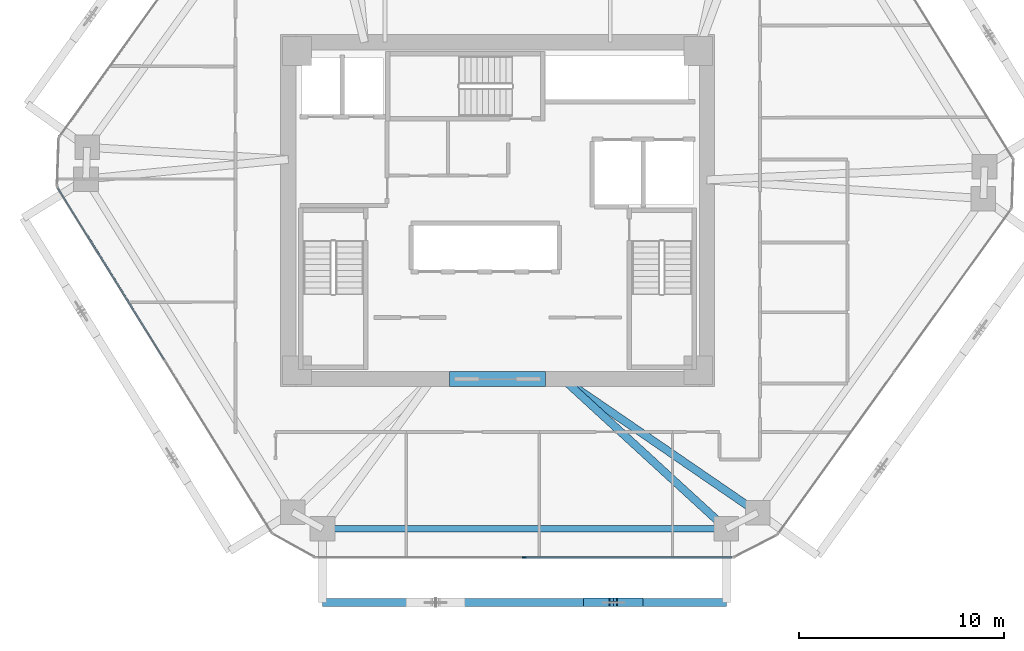
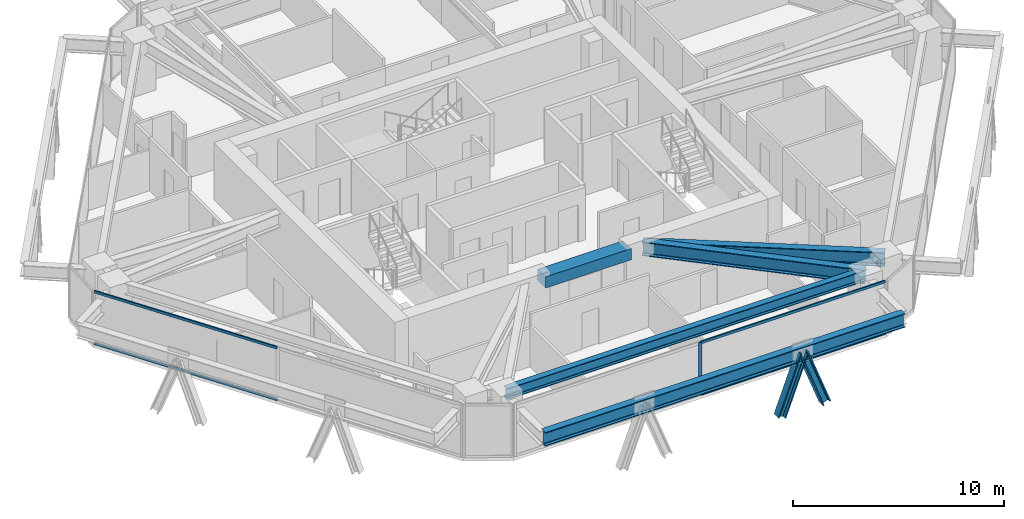
# One storey, part 3 of 16: 7 members, 5 beams, 2 elements without a shape of their own.
"""IFC4 building model written with IfcOpenShell, lengths in metres."""

from ifc_helpers import new_model, si_unit, direction, frame, origin, origin_2d, place, context, subcontext, project, spatial, rectangle, i_section, extrude, source, transform, mapped, material, layer, layer_set, material_profile, profile_set, type_object, type_shapes, element, aggregate, save


model = new_model("IFC4")

# Units and contexts
model_context = context("Model", 3, precision=1e-05, world=origin(), true_north=direction((0.0, 1.0)))
body_context = subcontext(model_context, "Body", "Model", "MODEL_VIEW")
ifc_project = project(units=[si_unit("LENGTHUNIT", "METRE"), si_unit("AREAUNIT", "SQUARE_METRE"), si_unit("VOLUMEUNIT", "CUBIC_METRE"), si_unit("PLANEANGLEUNIT", "RADIAN"), si_unit("MASSUNIT", "GRAM", prefix="KILO")], contexts=[model_context])

# Site, building, storey
site_placement = place(None, origin())
site = spatial("IfcSite", under=ifc_project, at=site_placement, CompositionType="ELEMENT")
building_placement = place(site_placement, origin())
building = spatial("IfcBuilding", under=site, at=building_placement, Name="Durnholm Broadcast Tower", CompositionType="ELEMENT")
storey_placement = place(building_placement, frame((0.0, 0.0, 117.300048828125)))
storey = spatial("IfcBuildingStorey", under=building, at=storey_placement, Name="L31", CompositionType="ELEMENT", Elevation=117.300048828125)

# Beams
ifc_material_1 = material(Name="Concrete C70/85", Category="concrete")
ifc_material_profile_1 = material_profile(ifc_material_1, rectangle(XDim=0.75, YDim=0.64990234375, at=origin_2d()), Name="RC750X650")
ifc_profile_set_1 = profile_set([ifc_material_profile_1], Name="Concrete C70/85")
beam_type_1 = type_object("IfcBeamType", Name="BM-CB-RC650", PredefinedType="LINTEL", material=ifc_profile_set_1)
shared_shape_1 = source(origin(), body_context, "Body", "SweptSolid", [
    extrude(rectangle(XDim=0.75, YDim=0.64990234375, at=origin_2d()), origin(), (0.0, 0.0, 1.0), 4.7001953125),
])
type_shapes(beam_type_1, [shared_shape_1])
beam_1_placement = place(storey_placement, frame((-2.35009765625, -8.22509765625, 2.72998046875), z_axis=(1.0, 0.0, 0.0), x_axis=(0.0, 1.0, 0.0)))
element("IfcBeam", 1, at=beam_1_placement, inside=storey, type_object=beam_type_1, Name="L31 south core coupling lintel beam CB-S", PredefinedType="LINTEL", context=body_context, shape_type="MappedRepresentation", body=[
    mapped(shared_shape_1, transform((0.0, 0.0, 0.0), x_axis=(1.0, 0.0, 0.0), y_axis=(0.0, 1.0, 0.0), z_axis=(0.0, 0.0, 1.0), scale=1.0)),
])
ifc_material_2 = material(Name="Steel ASTM A992 Grade 50", Category="steel")
ifc_material_profile_2 = material_profile(ifc_material_2, i_section(OverallWidth=0.3291015625, OverallDepth=0.635009765625, WebThickness=0.017822265625, FlangeThickness=0.031005859375, FilletRadius=0.02783203125, at=origin_2d()), Name="W24X162")
ifc_profile_set_2 = profile_set([ifc_material_profile_2], Name="Steel ASTM A992 Grade 50")
beam_type_2 = type_object("IfcBeamType", Name="STL-SP-W24X162", PredefinedType="SPANDREL", material=ifc_profile_set_2)
shared_shape_2 = source(origin(), body_context, "Body", "SweptSolid", [
    extrude(i_section(OverallWidth=0.3291015625, OverallDepth=0.635009765625, WebThickness=0.017822265625, FlangeThickness=0.031005859375, FilletRadius=0.02783203125, at=origin_2d()), origin(), (0.0, 0.0, 1.0), 19.72802734375),
])
type_shapes(beam_type_2, [shared_shape_2])
beam_2_placement = place(storey_placement, frame((11.176025390625, -15.537109375, 2.7275390625), z_axis=(-1.0, 0.0, 0.0), x_axis=(0.0, -1.0, 0.0)))
element("IfcBeam", 2, at=beam_2_placement, inside=storey, type_object=beam_type_2, Name="L31 perimeter spandrel girder 11", PredefinedType="SPANDREL", context=body_context, shape_type="MappedRepresentation", body=[
    mapped(shared_shape_2, transform((0.0, 0.0, 0.0), x_axis=(1.0, 0.0, 0.0), y_axis=(0.0, 1.0, 0.0), z_axis=(0.0, 0.0, 1.0), scale=1.0)),
])
ifc_material_profile_3 = material_profile(ifc_material_2, i_section(OverallWidth=0.385009765625, OverallDepth=0.802978515625, WebThickness=0.023681640625, FlangeThickness=0.0419921875, FilletRadius=0.032958984375, at=origin_2d()), Name="W30X261")
ifc_profile_set_3 = profile_set([ifc_material_profile_3], Name="Steel ASTM A992 Grade 50")
beam_type_3 = type_object("IfcBeamType", Name="STL-GR-W30X261", PredefinedType="USERDEFINED", material=ifc_profile_set_3)
shared_shape_3 = source(origin(), body_context, "Body", "SweptSolid", [
    extrude(i_section(OverallWidth=0.385009765625, OverallDepth=0.802978515625, WebThickness=0.023681640625, FlangeThickness=0.0419921875, FilletRadius=0.032958984375, at=origin_2d()), origin(), (0.0, 0.0, 1.0), 11.533447265625),
])
beam_3_placement = place(storey_placement, frame((3.199951171875, -8.22509765625, 2.6435546875), z_axis=(0.824567182461, -0.565764051181, 0.0), x_axis=(0.565764051181, 0.824567182461, 0.0)))
element("IfcBeam", 3, at=beam_3_placement, inside=storey, type_object=beam_type_3, Name="L31 radial primary floor girder 10", ObjectType="GIRDER", PredefinedType="USERDEFINED", context=body_context, shape_type="MappedRepresentation", body=[
    mapped(shared_shape_3, transform((0.0, 0.0, 0.0), x_axis=(1.0, 0.0, 0.0), y_axis=(0.0, 1.0, 0.0), z_axis=(0.0, 0.0, 1.0), scale=1.0)),
])
shared_shape_4 = source(origin(), body_context, "Body", "SweptSolid", [
    extrude(i_section(OverallWidth=0.385009765625, OverallDepth=0.802978515625, WebThickness=0.023681640625, FlangeThickness=0.0419921875, FilletRadius=0.032958984375, at=origin_2d()), origin(), (0.0, 0.0, 1.0), 10.820556640625),
])
type_shapes(beam_type_3, [shared_shape_3, shared_shape_4])
beam_4_placement = place(storey_placement, frame((3.199951171875, -8.22509765625, 2.6435546875), z_axis=(0.737126042516, -0.675755279258, 0.0), x_axis=(0.675755279258, 0.737126042516, 0.0)))
element("IfcBeam", 4, at=beam_4_placement, inside=storey, type_object=beam_type_3, Name="L31 radial primary floor girder 11", ObjectType="GIRDER", PredefinedType="USERDEFINED", context=body_context, shape_type="MappedRepresentation", body=[
    mapped(shared_shape_4, transform((0.0, 0.0, 0.0), x_axis=(1.0, 0.0, 0.0), y_axis=(0.0, 1.0, 0.0), z_axis=(0.0, 0.0, 1.0), scale=1.0)),
])
ifc_material_profile_4 = material_profile(ifc_material_2, i_section(OverallWidth=0.385009765625, OverallDepth=0.802978515625, WebThickness=0.023681640625, FlangeThickness=0.0419921875, FilletRadius=0.032958984375, at=origin_2d()), Name="W30X261")
ifc_profile_set_4 = profile_set([ifc_material_profile_4], Name="Steel ASTM A992 Grade 50")
beam_type_4 = type_object("IfcBeamType", Name="BM-EXO-TIE", PredefinedType="USERDEFINED", material=ifc_profile_set_4)
shared_shape_5 = source(origin(), body_context, "Body", "SweptSolid", [
    extrude(i_section(OverallWidth=0.385009765625, OverallDepth=0.802978515625, WebThickness=0.023681640625, FlangeThickness=0.0419921875, FilletRadius=0.032958984375, at=origin_2d()), origin(), (0.0, 0.0, 1.0), 19.72802734375),
])
type_shapes(beam_type_4, [shared_shape_5])
beam_5_placement = place(storey_placement, frame((-8.552001953125, -19.136962890625, 2.30859375), z_axis=(1.0, 0.0, 0.0), x_axis=(0.0, 1.0, 0.0)))
element("IfcBeam", 5, at=beam_5_placement, inside=storey, type_object=beam_type_4, Name="L31 exoskeleton collector spandrel F1", PredefinedType="SPANDREL", context=body_context, shape_type="MappedRepresentation", body=[
    mapped(shared_shape_5, transform((0.0, 0.0, 0.0), x_axis=(1.0, 0.0, 0.0), y_axis=(0.0, 1.0, 0.0), z_axis=(0.0, 0.0, 1.0), scale=1.0)),
])

# Members
ifc_material_3 = material(Name="Steel ASTM A913 Grade 65", Category="steel")
ifc_material_profile_5 = material_profile(ifc_material_3, i_section(OverallWidth=0.41845703125, OverallDepth=0.455078125, WebThickness=0.0419921875, FlangeThickness=0.067626953125, FilletRadius=0.030517578125, at=origin_2d()), Name="W14X370")
ifc_profile_set_5 = profile_set([ifc_material_profile_5], Name="Steel ASTM A913 Grade 65")
member_type_1 = type_object("IfcMemberType", Name="STL-DG-W14X370", PredefinedType="BRACE", material=ifc_profile_set_5)
shared_shape_6 = source(origin(), body_context, "Body", "SweptSolid", [
    extrude(i_section(OverallWidth=0.41845703125, OverallDepth=0.455078125, WebThickness=0.0419921875, FlangeThickness=0.067626953125, FilletRadius=0.030517578125, at=origin_2d()), origin(), (0.0, 0.0, 1.0), 3.523193359375),
])
type_shapes(member_type_1, [shared_shape_6])
for number, where, z_axis, x_axis, name in (
    (6, (4.41845703125, -19.136962890625, -0.991455078125), (0.350219588454, 0.0, 0.936667625075), (0.0, 1.0, 0.0), "L31 stand-off diagrid brace F1.D2.1"),
    (7, (6.885986328125, -19.136962890625, -0.991455078125), (-0.350158790071, 0.0, 0.936690355313), (0.0, -1.0, 0.0), "L31 stand-off diagrid brace F1.D2.2"),
):
    element("IfcMember", number, at=place(storey_placement, frame(where, z_axis=z_axis, x_axis=x_axis)), inside=storey, type_object=member_type_1, Name=name, PredefinedType="BRACE", context=body_context, shape_type="MappedRepresentation", body=[
        mapped(shared_shape_6, transform((0.0, 0.0, 0.0), x_axis=(1.0, 0.0, 0.0), y_axis=(0.0, 1.0, 0.0), z_axis=(0.0, 0.0, 1.0), scale=1.0)),
    ])

# Curtain wall, members
ifc_material_4 = material(Name="Aluminium and Solar Control IGU", Category="aluminium")
ifc_layer = layer(ifc_material_4, 0.18994140625)
ifc_layer_set = layer_set([ifc_layer], Name="Aluminium and Solar Control IGU")
curtain_wall_type = type_object("IfcCurtainWallType", Name="CW-SYS-3", PredefinedType="NOTDEFINED", material=ifc_layer_set)
curtain_wall_1_placement = place(storey_placement, origin())
curtain_wall_1 = element("IfcCurtainWall", 8, at=curtain_wall_1_placement, inside=storey, type_object=curtain_wall_type, Name="L31 curtain wall CW-Z12-VIS CW-L31-F10", PredefinedType="NOTDEFINED")
ifc_material_5 = material(Name="Aluminium 6063-T6", Category="aluminium")
ifc_material_profile_6 = material_profile(ifc_material_5, rectangle(XDim=0.070068359375, YDim=0.18994140625, at=origin_2d()), Name="CWM70X190")
ifc_profile_set_6 = profile_set([ifc_material_profile_6], Name="Aluminium 6063-T6")
member_type_2 = type_object("IfcMemberType", Name="CW-SYS-3-MUL", PredefinedType="MULLION", material=ifc_profile_set_6)
shared_shape_7 = source(origin(), body_context, "Body", "SweptSolid", [
    extrude(rectangle(XDim=0.070068359375, YDim=0.18994140625, at=origin_2d()), origin(), (0.0, 0.0, 1.0), 3.06005859375),
])
type_shapes(member_type_2, [shared_shape_7])
member_1_placement = place(storey_placement, frame((1.299560546875, -16.93701171875, 0.0), z_axis=(0.0, 0.0, 1.0), x_axis=(0.0, -1.0, 0.0)))
member_1 = element("IfcMember", 9, at=member_1_placement, type_object=member_type_2, Name="CW-Z12-VIS mullion 2", PredefinedType="MULLION", context=body_context, shape_type="MappedRepresentation", body=[
    mapped(shared_shape_7, transform((0.0, 0.0, 0.0), x_axis=(1.0, 0.0, 0.0), y_axis=(0.0, 1.0, 0.0), z_axis=(0.0, 0.0, 1.0), scale=1.0)),
])
ifc_material_profile_7 = material_profile(ifc_material_5, rectangle(XDim=0.070068359375, YDim=0.14990234375, at=origin_2d()), Name="CWT70X150")
ifc_profile_set_7 = profile_set([ifc_material_profile_7], Name="Aluminium 6063-T6")
member_type_3 = type_object("IfcMemberType", Name="CW-SYS-3-TRN", PredefinedType="USERDEFINED", material=ifc_profile_set_7)
shared_shape_8 = source(origin(), body_context, "Body", "SweptSolid", [
    extrude(rectangle(XDim=0.070068359375, YDim=0.14990234375, at=origin_2d()), origin(), (0.0, 0.0, 1.0), 10.109619140625),
])
member_2_placement = place(storey_placement, frame((11.444091796875, -16.93701171875, 0.034912109375), z_axis=(-1.0, 0.0, 0.0), x_axis=(0.0, -1.0, 0.0)))
member_2 = element("IfcMember", 10, at=member_2_placement, type_object=member_type_3, Name="CW-Z12-VIS transom 1.1", ObjectType="TRANSOM", PredefinedType="USERDEFINED", context=body_context, shape_type="MappedRepresentation", body=[
    mapped(shared_shape_8, transform((0.0, 0.0, 0.0), x_axis=(1.0, 0.0, 0.0), y_axis=(0.0, 1.0, 0.0), z_axis=(0.0, 0.0, 1.0), scale=1.0)),
])
member_3_placement = place(storey_placement, frame((11.444091796875, -16.93701171875, 3.02490234375), z_axis=(-1.0, 0.0, 0.0), x_axis=(0.0, -1.0, 0.0)))
member_3 = element("IfcMember", 11, at=member_3_placement, type_object=member_type_3, Name="CW-Z12-VIS transom 1.2", ObjectType="TRANSOM", PredefinedType="USERDEFINED", context=body_context, shape_type="MappedRepresentation", body=[
    mapped(shared_shape_8, transform((0.0, 0.0, 0.0), x_axis=(1.0, 0.0, 0.0), y_axis=(0.0, 1.0, 0.0), z_axis=(0.0, 0.0, 1.0), scale=1.0)),
])
aggregate(curtain_wall_1, [member_1, member_2, member_3])

curtain_wall_2_placement = place(storey_placement, origin())
curtain_wall_2 = element("IfcCurtainWall", 12, at=curtain_wall_2_placement, inside=storey, type_object=curtain_wall_type, Name="L31 curtain wall CW-Z12-VIS CW-L31-F12", PredefinedType="NOTDEFINED")
shared_shape_9 = source(origin(), body_context, "Body", "SweptSolid", [
    extrude(rectangle(XDim=0.070068359375, YDim=0.14990234375, at=origin_2d()), origin(), (0.0, 0.0, 1.0), 9.85888671875),
])
type_shapes(member_type_3, [shared_shape_8, shared_shape_9])
member_4_placement = place(storey_placement, frame((-16.28271484375, -7.27294921875, 0.034912109375), z_axis=(-0.527119964735, 0.849790881793, 0.0), x_axis=(-0.849790881793, -0.527119964735, 0.0)))
member_4 = element("IfcMember", 13, at=member_4_placement, type_object=member_type_3, Name="CW-Z12-VIS transom 2.1", ObjectType="TRANSOM", PredefinedType="USERDEFINED", context=body_context, shape_type="MappedRepresentation", body=[
    mapped(shared_shape_9, transform((0.0, 0.0, 0.0), x_axis=(1.0, 0.0, 0.0), y_axis=(0.0, 1.0, 0.0), z_axis=(0.0, 0.0, 1.0), scale=1.0)),
])
member_5_placement = place(storey_placement, frame((-16.28271484375, -7.27294921875, 3.02490234375), z_axis=(-0.527119964735, 0.849790881793, 0.0), x_axis=(-0.849790881793, -0.527119964735, 0.0)))
member_5 = element("IfcMember", 14, at=member_5_placement, type_object=member_type_3, Name="CW-Z12-VIS transom 2.2", ObjectType="TRANSOM", PredefinedType="USERDEFINED", context=body_context, shape_type="MappedRepresentation", body=[
    mapped(shared_shape_9, transform((0.0, 0.0, 0.0), x_axis=(1.0, 0.0, 0.0), y_axis=(0.0, 1.0, 0.0), z_axis=(0.0, 0.0, 1.0), scale=1.0)),
])
aggregate(curtain_wall_2, [member_4, member_5])

save(model, "model.ifc")
